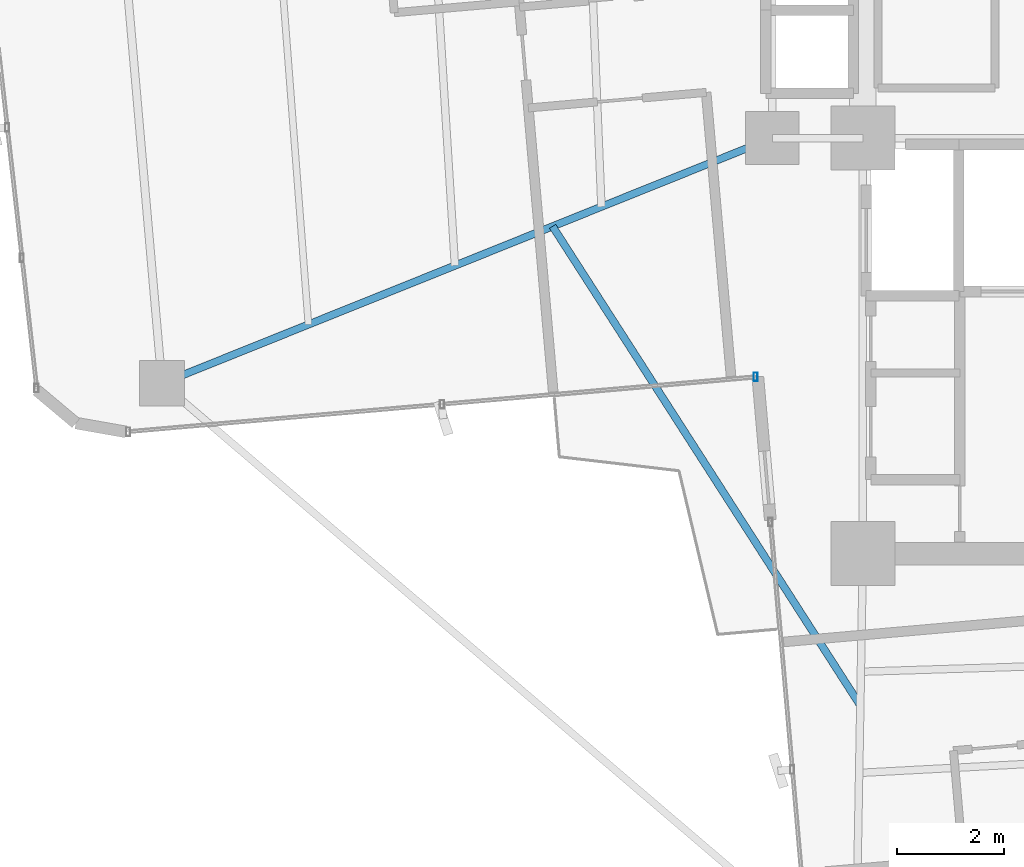
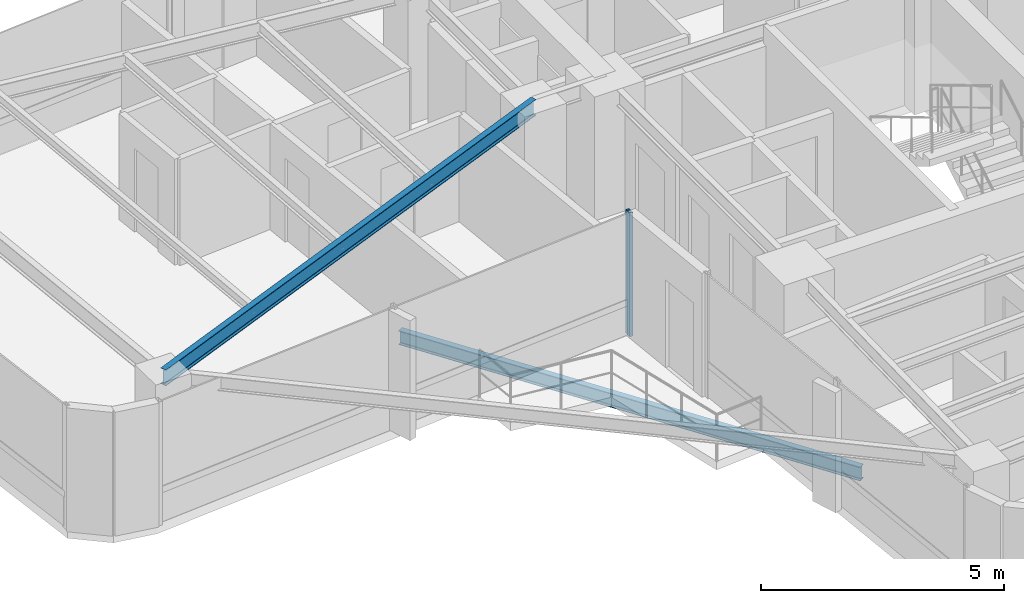
# One storey, part 5 of 24: 2 beams, 1 member, 1 element without a shape of its own.
"""IFC4 building model written with IfcOpenShell, lengths in metres."""

from ifc_helpers import new_model, si_unit, direction, frame, origin, origin_2d, place, context, subcontext, project, spatial, hollow_rectangle, i_section, extrude, source, transform, mapped, material, material_profile, profile_set, type_object, element, aggregate, save


model = new_model("IFC4")

# Units and contexts
model_context = context("Model", 3, precision=1e-05, world=origin(), true_north=direction((0.0, 1.0)))
body_context = subcontext(model_context, "Body", "Model", "MODEL_VIEW")
ifc_project = project(units=[si_unit("LENGTHUNIT", "METRE"), si_unit("AREAUNIT", "SQUARE_METRE"), si_unit("VOLUMEUNIT", "CUBIC_METRE"), si_unit("PLANEANGLEUNIT", "RADIAN"), si_unit("MASSUNIT", "GRAM", prefix="KILO")], contexts=[model_context])

# Site, building, storey
site_placement = place(None, origin())
site = spatial("IfcSite", under=ifc_project, at=site_placement, CompositionType="ELEMENT")
building_placement = place(site_placement, origin())
building = spatial("IfcBuilding", under=site, at=building_placement, Name="Sahyath Konkavel Grand Hotel", CompositionType="ELEMENT")
storey_placement = place(building_placement, frame((0.0, 0.0, 181.89990234375)))
storey = spatial("IfcBuildingStorey", under=building, at=storey_placement, Name="L50", CompositionType="ELEMENT", Elevation=181.89990234375)

# Beam
ifc_material_1 = material(Name="Steel E350", Category="steel")
ifc_material_profile_1 = material_profile(ifc_material_1, i_section(OverallWidth=0.139892578125, OverallDepth=0.39990234375, WebThickness=0.0087890625, FlangeThickness=0.01611328125, FilletRadius=0.013916015625, at=origin_2d()), Name="ISMB 400")
ifc_profile_set_1 = profile_set([ifc_material_profile_1], Name="Steel E350")
beam_type_1 = type_object("IfcBeamType", Name="BM-ISMB400", PredefinedType="BEAM", material=ifc_profile_set_1)
shared_shape_1 = source(origin(), body_context, "Body", "SweptSolid", [
    extrude(i_section(OverallWidth=0.139892578125, OverallDepth=0.39990234375, WebThickness=0.0087890625, FlangeThickness=0.01611328125, FilletRadius=0.013916015625, at=origin_2d()), origin(), (0.0, 0.0, 1.0), 12.344970703125),
])
beam_1_placement = place(storey_placement, frame((-5.5, -2.39990234375, 2.91015625), z_axis=(-0.927837014101, -0.372985891507, 0.0), x_axis=(0.372985891507, -0.927837014101, 0.0)))
element("IfcBeam", 1, at=beam_1_placement, inside=storey, type_object=beam_type_1, Name="L50 Cruciform Radial Girder WB", PredefinedType="BEAM", context=body_context, shape_type="MappedRepresentation", body=[
    mapped(shared_shape_1, transform((0.0, 0.0, 0.0), scale=1.0)),
])

# Curtain wall, member
ifc_material_2 = material(Name="Anodised Bronze Aluminium & Low-E Glazing", Category="aluminium")
curtain_wall_type = type_object("IfcCurtainWallType", Name="CW-ZONE3", PredefinedType="NOTDEFINED", material=ifc_material_2)
curtain_wall_placement = place(storey_placement, origin())
curtain_wall = element("IfcCurtainWall", 2, at=curtain_wall_placement, inside=storey, type_object=curtain_wall_type, Name="L50 Unitised Curtain Wall F23", PredefinedType="NOTDEFINED")
ifc_material_3 = material(Name="Anodised Bronze Aluminium", Category="aluminium")
ifc_material_profile_2 = material_profile(ifc_material_3, hollow_rectangle(XDim=0.080078125, YDim=0.159912109375, WallThickness=0.006103515625, at=origin_2d()), Name="RHS 160x80x6")
ifc_profile_set_2 = profile_set([ifc_material_profile_2], Name="Anodised Bronze Aluminium")
member_type = type_object("IfcMemberType", Name="CW-MUL-160", PredefinedType="MULLION", material=ifc_profile_set_2)
shared_shape_2 = source(origin(), body_context, "Body", "SweptSolid", [
    extrude(hollow_rectangle(XDim=0.080078125, YDim=0.159912109375, WallThickness=0.006103515625, at=origin_2d()), origin(), (0.0, 0.0, 1.0), 3.110107421875),
])
member_placement = place(storey_placement, frame((-5.812255859375, -6.8828125, 0.0), z_axis=(0.0, 0.0, 1.0), x_axis=(1.0, 0.0, 0.0)))
member = element("IfcMember", 3, at=member_placement, type_object=member_type, Name="L50 Curtain Wall Mullion F23-2", PredefinedType="MULLION", context=body_context, shape_type="MappedRepresentation", body=[
    mapped(shared_shape_2, transform((0.0, 0.0, 0.0), scale=1.0)),
])
aggregate(curtain_wall, [member])

# Beam
ifc_material_profile_3 = material_profile(ifc_material_1, i_section(OverallWidth=0.139892578125, OverallDepth=0.35009765625, WebThickness=0.008056640625, FlangeThickness=0.01416015625, FilletRadius=0.013916015625, at=origin_2d()), Name="ISMB 350")
ifc_profile_set_3 = profile_set([ifc_material_profile_3], Name="Steel E350")
beam_type_2 = type_object("IfcBeamType", Name="BM-BALC-CANT", PredefinedType="BEAM", material=ifc_profile_set_3)
shared_shape_3 = source(origin(), body_context, "Body", "SweptSolid", [
    extrude(i_section(OverallWidth=0.139892578125, OverallDepth=0.35009765625, WebThickness=0.008056640625, FlangeThickness=0.01416015625, FilletRadius=0.013916015625, at=origin_2d()), origin(), (0.0, 0.0, 1.0), 10.685302734375),
])
beam_2_placement = place(storey_placement, frame((-9.62353515625, -4.0576171875, -0.414794921875), z_axis=(0.540404181048, -0.841405562797, 0.0), x_axis=(0.841405562797, 0.540404181048, 0.0)))
element("IfcBeam", 4, at=beam_2_placement, inside=storey, type_object=beam_type_2, Name="L50 Balcony Cantilever Support Beam SW", PredefinedType="BEAM", context=body_context, shape_type="MappedRepresentation", body=[
    mapped(shared_shape_3, transform((0.0, 0.0, 0.0), scale=1.0)),
])

save(model, "model.ifc")
